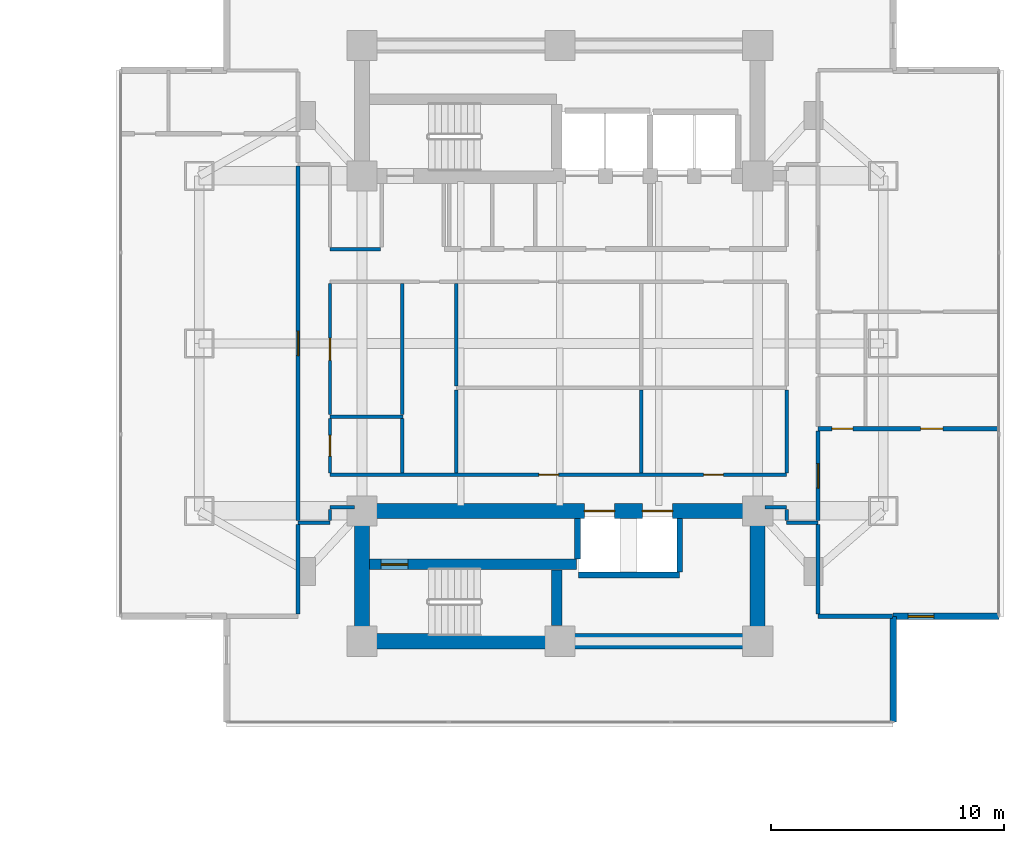
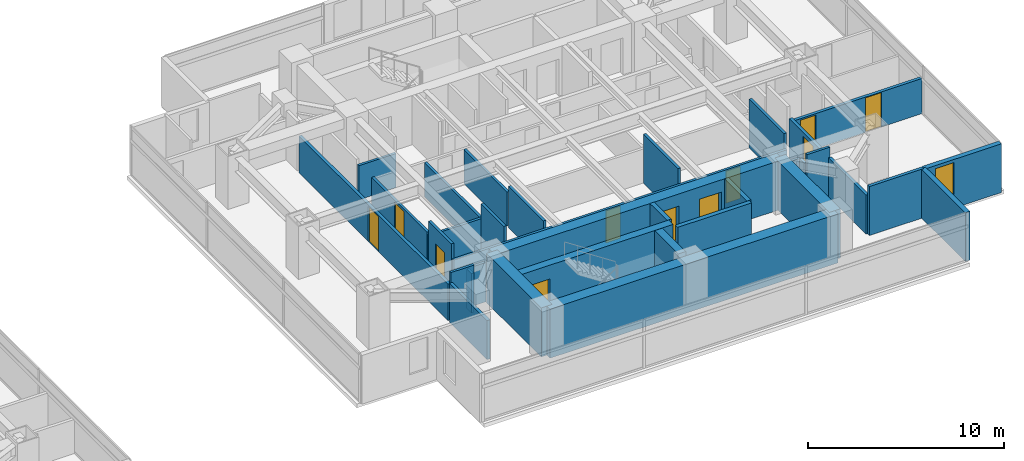
# One storey, part 17 of 24: 34 walls, 11 doors, 1 window, 12 openings.
"""IFC4 building model written with IfcOpenShell, lengths in metres."""

from ifc_helpers import new_model, si_unit, direction, frame, frame_2d, origin, place, context, subcontext, project, spatial, rectangle, extrude, material, layer, layer_set, type_object, element, fill, save


model = new_model("IFC4")

# Units and contexts
model_context = context("Model", 3, precision=1e-05, world=origin(), true_north=direction((0.0, 1.0)))
body_context = subcontext(model_context, "Body", "Model", "MODEL_VIEW")
ifc_project = project(units=[si_unit("LENGTHUNIT", "METRE"), si_unit("AREAUNIT", "SQUARE_METRE"), si_unit("VOLUMEUNIT", "CUBIC_METRE"), si_unit("PLANEANGLEUNIT", "RADIAN"), si_unit("MASSUNIT", "GRAM", prefix="KILO")], contexts=[model_context])

# Site, building, storey
site_placement = place(None, origin())
site = spatial("IfcSite", under=ifc_project, at=site_placement, CompositionType="ELEMENT")
building_placement = place(site_placement, origin())
building = spatial("IfcBuilding", under=site, at=building_placement, Name="Mirazonda Arch Towers", CompositionType="ELEMENT")
storey_placement = place(building_placement, frame((0.0, 0.0, 71.89990234375)))
storey = spatial("IfcBuildingStorey", under=building, at=storey_placement, Name="L20", CompositionType="ELEMENT", Elevation=71.89990234375)

# Wall, opening, door
ifc_material_1 = material(Name="Concrete C50/60", Category="concrete")
ifc_layer_1 = layer(ifc_material_1, 0.449951171875, Name="WALL-CORE-450")
ifc_layer_set_1 = layer_set([ifc_layer_1], Name="Concrete C50/60")
wall_type_1 = type_object("IfcWallType", Name="WALL-CORE-450", PredefinedType="SHEAR", material=ifc_layer_set_1)
wall_1_placement = place(storey_placement, frame((68.320068359375, 18.5, 0.0), z_axis=(0.0, 0.0, 1.0), x_axis=(1.0, 0.0, 0.0)))
wall_1 = element("IfcWall", 1, at=wall_1_placement, inside=storey, type_object=wall_type_1, Name="L20 Stair Core Shear Wall 014", PredefinedType="SHEAR", context=body_context, shape_type="SweptSolid", body=[
    extrude(rectangle(XDim=8.89990234375, YDim=0.449951171875, at=frame_2d((4.449951171875, 0.0))), origin(), (0.0, 0.0, 1.0), 3.06005859375),
])
opening_1_placement = place(wall_1_placement, frame((0.4951171875, 0.0, 0.0)))
opening_1 = element("IfcOpeningElement", 2, at=opening_1_placement, cuts=wall_1, Name="Opening DR-135", PredefinedType="OPENING", context=body_context, shape_type="SweptSolid", body=[
    extrude(rectangle(XDim=1.14990234375, YDim=2.199951171875, at=frame_2d((0.574951171875, 1.10009765625))), frame((0.0, 0.23486328125, 0.0), z_axis=(0.0, -1.0, 0.0), x_axis=(1.0, 0.0, 0.0)), (0.0, 0.0, 1.0), 0.469970703125),
])
ifc_material_2 = material(Name="Architectural Brushed Steel S355", Category="steel")
door_type_1 = type_object("IfcDoorType", Name="DOOR-STAIR-FD90-1150", OperationType="NOTDEFINED", PredefinedType="DOOR", material=ifc_material_2)
door_1_placement = place(opening_1_placement, origin())
door_1 = element("IfcDoor", 3, at=door_1_placement, inside=storey, type_object=door_type_1, Name="L20 East Protected Stair South Door", OperationType="SINGLE_SWING_LEFT", OverallHeight=2.199951171875, OverallWidth=1.14990234375, PredefinedType="DOOR", context=body_context, shape_type="SweptSolid", body=[
    extrude(rectangle(XDim=1.14990234375, YDim=2.199951171875, at=frame_2d((0.574951171875, 1.10009765625))), frame((0.0, 0.02490234375, 0.0), z_axis=(0.0, -1.0, 0.0), x_axis=(1.0, 0.0, 0.0)), (0.0, 0.0, 1.0), 0.050048828125),
])
fill(opening_1, door_1)

# Walls
wall_2_placement = place(storey_placement, frame((76.360107421875, 15.864990234375, 0.0), z_axis=(0.0, 0.0, 1.0), x_axis=(0.0, 1.0, 0.0)))
element("IfcWall", 4, at=wall_2_placement, inside=storey, type_object=wall_type_1, Name="L20 Stair Core Shear Wall 138", PredefinedType="SHEAR", context=body_context, shape_type="SweptSolid", body=[
    extrude(rectangle(XDim=2.39990234375, YDim=0.449951171875, at=frame_2d((1.199951171875, 0.0))), origin(), (0.0, 0.0, 1.0), 3.06005859375),
])
ifc_material_3 = material(Name="Concrete C60/75", Category="concrete")
ifc_layer_2 = layer(ifc_material_3, 0.64990234375, Name="WALL-CORE-650")
ifc_layer_set_2 = layer_set([ifc_layer_2], Name="Concrete C60/75")
wall_type_2 = type_object("IfcWallType", Name="WALL-CORE-650", PredefinedType="SHEAR", material=ifc_layer_set_2)
wall_3_placement = place(storey_placement, frame((68.0, 15.199951171875, 0.0), z_axis=(0.0, 0.0, 1.0), x_axis=(1.0, 0.0, 0.0)))
element("IfcWall", 5, at=wall_3_placement, inside=storey, type_object=wall_type_2, Name="L20 T2S-S Core Shear Wall", PredefinedType="SHEAR", context=body_context, shape_type="SweptSolid", body=[
    extrude(rectangle(XDim=17.0, YDim=0.64990234375, at=frame_2d((8.5, 0.0))), origin(), (0.0, 0.0, 1.0), 3.06005859375),
])
for number, where, z_axis, x_axis, name in (
    (6, (68.0, 15.199951171875, 0.0), (0.0, 0.0, 1.0), (0.0, 1.0, 0.0), "L20 T2S-W Core Shear Wall"),
    (7, (85.0, 15.199951171875, 0.0), (0.0, 0.0, 1.0), (0.0, 1.0, 0.0), "L20 T2S-E Core Shear Wall"),
):
    element("IfcWall", number, at=place(storey_placement, frame(where, z_axis=z_axis, x_axis=x_axis)), inside=storey, type_object=wall_type_2, Name=name, PredefinedType="SHEAR", context=body_context, shape_type="SweptSolid", body=[
        extrude(rectangle(XDim=5.60009765625, YDim=0.64990234375, at=frame_2d((2.800048828125, 0.0))), origin(), (0.0, 0.0, 1.0), 3.06005859375),
    ])

# Wall, openings, doors
wall_4_placement = place(storey_placement, frame((68.0, 20.800048828125, 0.0), z_axis=(0.0, 0.0, 1.0), x_axis=(1.0, 0.0, 0.0)))
wall_4 = element("IfcWall", 8, at=wall_4_placement, inside=storey, type_object=wall_type_2, Name="L20 T2S-N Core Shear Wall", PredefinedType="SHEAR", context=body_context, shape_type="SweptSolid", body=[
    extrude(rectangle(XDim=17.0, YDim=0.64990234375, at=frame_2d((8.5, 0.0))), origin(), (0.0, 0.0, 1.0), 3.06005859375),
])
opening_2_placement = place(wall_4_placement, frame((9.550048828125, 0.0, 0.0)))
opening_2 = element("IfcOpeningElement", 9, at=opening_2_placement, cuts=wall_4, Name="Opening LD-111", PredefinedType="OPENING", context=body_context, shape_type="SweptSolid", body=[
    extrude(rectangle(XDim=1.300048828125, YDim=2.300048828125, at=frame_2d((0.64990234375, 1.14990234375))), frame((0.0, 0.3349609375, 0.0), z_axis=(0.0, -1.0, 0.0), x_axis=(1.0, 0.0, 0.0)), (0.0, 0.0, 1.0), 0.669921875),
])
opening_3_placement = place(wall_4_placement, frame((12.050048828125, 0.0, 0.0)))
opening_3 = element("IfcOpeningElement", 10, at=opening_3_placement, cuts=wall_4, Name="Opening LD-111", PredefinedType="OPENING", context=body_context, shape_type="SweptSolid", body=[
    extrude(rectangle(XDim=1.300048828125, YDim=2.300048828125, at=frame_2d((0.64990234375, 1.14990234375))), frame((0.0, 0.3349609375, 0.0), z_axis=(0.0, -1.0, 0.0), x_axis=(1.0, 0.0, 0.0)), (0.0, 0.0, 1.0), 0.669921875),
])
door_type_2 = type_object("IfcDoorType", Name="DOOR-LIFT-LAND-1300", OperationType="NOTDEFINED", PredefinedType="DOOR", material=ifc_material_2)
door_2_placement = place(opening_2_placement, origin())
door_2 = element("IfcDoor", 11, at=door_2_placement, inside=storey, type_object=door_type_2, Name="L20 Lift Landing Sliding Door PL-T2H1", OperationType="DOUBLE_DOOR_SLIDING", OverallHeight=2.300048828125, OverallWidth=1.300048828125, PredefinedType="DOOR", context=body_context, shape_type="SweptSolid", body=[
    extrude(rectangle(XDim=1.300048828125, YDim=2.300048828125, at=frame_2d((0.64990234375, 1.14990234375))), frame((0.0, 0.02490234375, 0.0), z_axis=(0.0, -1.0, 0.0), x_axis=(1.0, 0.0, 0.0)), (0.0, 0.0, 1.0), 0.050048828125),
])
fill(opening_2, door_2)
door_3_placement = place(opening_3_placement, origin())
door_3 = element("IfcDoor", 12, at=door_3_placement, inside=storey, type_object=door_type_2, Name="L20 Lift Landing Sliding Door PL-T2H2", OperationType="DOUBLE_DOOR_SLIDING", OverallHeight=2.300048828125, OverallWidth=1.300048828125, PredefinedType="DOOR", context=body_context, shape_type="SweptSolid", body=[
    extrude(rectangle(XDim=1.300048828125, YDim=2.300048828125, at=frame_2d((0.64990234375, 1.14990234375))), frame((0.0, 0.02490234375, 0.0), z_axis=(0.0, -1.0, 0.0), x_axis=(1.0, 0.0, 0.0)), (0.0, 0.0, 1.0), 0.050048828125),
])
fill(opening_3, door_3)

# Wall, opening, window
ifc_material_4 = material(Name="Precast Concrete C40/50", Category="concrete")
ifc_layer_3 = layer(ifc_material_4, 0.280029296875, Name="WALL-EXT-WALL-280")
ifc_layer_set_3 = layer_set([ifc_layer_3], Name="Precast Concrete C40/50")
wall_type_3 = type_object("IfcWallType", Name="WALL-EXT-WALL-280", PredefinedType="SOLIDWALL", material=ifc_layer_set_3)
wall_5_placement = place(storey_placement, frame((90.822021484375, 16.270263671875, 0.0), z_axis=(0.0, 0.0, 1.0), x_axis=(1.0, 0.0, 0.0)))
wall_5 = element("IfcWall", 13, at=wall_5_placement, inside=storey, type_object=wall_type_3, Name="L20 T2 Corner Notch Return Wall WL-L20-T2-CSE1", PredefinedType="SOLIDWALL", context=body_context, shape_type="SweptSolid", body=[
    extrude(rectangle(XDim=4.5458984375, YDim=0.280029296875, at=frame_2d((2.27294921875, 0.0))), origin(), (0.0, 0.0, 1.0), 3.0400390625),
])
opening_4_placement = place(wall_5_placement, frame((0.64990234375, 0.0, 0.85009765625)))
opening_4 = element("IfcOpeningElement", 14, at=opening_4_placement, cuts=wall_5, Name="Opening WN-108", PredefinedType="OPENING", context=body_context, shape_type="SweptSolid", body=[
    extrude(rectangle(XDim=1.10009765625, YDim=2.0, at=frame_2d((0.550048828125, 1.0))), frame((0.0, 0.14990234375, 0.0), z_axis=(0.0, -1.0, 0.0), x_axis=(1.0, 0.0, 0.0)), (0.0, 0.0, 1.0), 0.300048828125),
])
ifc_material_5 = material(Name="Insulated Low-E Solar Glass", Category="glass")
window_type = type_object("IfcWindowType", Name="WIN-NOTCH-1100x2000", PartitioningType="SINGLE_PANEL", PredefinedType="WINDOW", material=ifc_material_5)
window_placement = place(opening_4_placement, origin())
window = element("IfcWindow", 15, at=window_placement, inside=storey, type_object=window_type, Name="L20 Punched Facade Window WN-L20-T2-CSE1", OverallHeight=2.0, OverallWidth=1.10009765625, PartitioningType="SINGLE_PANEL", PredefinedType="WINDOW", context=body_context, shape_type="SweptSolid", body=[
    extrude(rectangle(XDim=1.10009765625, YDim=2.0, at=frame_2d((0.550048828125, 1.0))), frame((0.0, 0.030029296875, 0.0), z_axis=(0.0, -1.0, 0.0), x_axis=(1.0, 0.0, 0.0)), (0.0, 0.0, 1.0), 0.06005859375),
])
fill(opening_4, window)

# Walls
wall_6_placement = place(storey_placement, frame((90.822021484375, 11.72412109375, 0.0), z_axis=(0.0, 0.0, 1.0), x_axis=(0.0, 1.0, 0.0)))
element("IfcWall", 16, at=wall_6_placement, inside=storey, type_object=wall_type_3, Name="L20 T2 Corner Notch Return Wall WL-L20-T2-CSE2", PredefinedType="SOLIDWALL", context=body_context, shape_type="SweptSolid", body=[
    extrude(rectangle(XDim=4.546142578125, YDim=0.280029296875, at=frame_2d((2.27294921875, 0.0))), origin(), (0.0, 0.0, 1.0), 3.0400390625),
])
ifc_material_6 = material(Name="Fire-Rated Gypsum Stud Partition")
ifc_layer_4 = layer(ifc_material_6, 0.14990234375, Name="WALL-PART-CORR-150")
ifc_layer_set_4 = layer_set([ifc_layer_4], Name="Fire-Rated Gypsum Stud Partition")
wall_type_4 = type_object("IfcWallType", Name="WALL-PART-CORR-150", PredefinedType="PARTITIONING", material=ifc_layer_set_4)
wall_7_placement = place(storey_placement, frame((65.25, 20.300048828125, 0.0), z_axis=(0.0, 0.0, 1.0), x_axis=(1.0, 0.0, 0.0)))
element("IfcWall", 17, at=wall_7_placement, inside=storey, type_object=wall_type_4, Name="L20 Interior Partition 017", PredefinedType="PARTITIONING", context=body_context, shape_type="SweptSolid", body=[
    extrude(rectangle(XDim=1.3701171875, YDim=0.14990234375, at=frame_2d((0.68505859375, 0.0))), origin(), (0.0, 0.0, 1.0), 3.06005859375),
])
wall_8_placement = place(storey_placement, frame((86.25, 20.300048828125, 0.0), z_axis=(0.0, 0.0, 1.0), x_axis=(1.0, 0.0, 0.0)))
element("IfcWall", 18, at=wall_8_placement, inside=storey, type_object=wall_type_4, Name="L20 Interior Partition 018", PredefinedType="PARTITIONING", context=body_context, shape_type="SweptSolid", body=[
    extrude(rectangle(XDim=1.35009765625, YDim=0.14990234375, at=frame_2d((0.675048828125, 0.0))), origin(), (0.0, 0.0, 1.0), 3.06005859375),
])
wall_9_placement = place(storey_placement, frame((66.6201171875, 20.949951171875, 0.0), z_axis=(0.0, 0.0, 1.0), x_axis=(1.0, 0.0, 0.0)))
element("IfcWall", 19, at=wall_9_placement, inside=storey, type_object=wall_type_4, Name="L20 Interior Partition 019", PredefinedType="PARTITIONING", context=body_context, shape_type="SweptSolid", body=[
    extrude(rectangle(XDim=1.059814453125, YDim=0.14990234375, at=frame_2d((0.52978515625, 0.0))), origin(), (0.0, 0.0, 1.0), 2.4521484375),
])
wall_10_placement = place(storey_placement, frame((85.320068359375, 20.949951171875, 0.0), z_axis=(0.0, 0.0, 1.0), x_axis=(1.0, 0.0, 0.0)))
element("IfcWall", 20, at=wall_10_placement, inside=storey, type_object=wall_type_4, Name="L20 Interior Partition 020", PredefinedType="PARTITIONING", context=body_context, shape_type="SweptSolid", body=[
    extrude(rectangle(XDim=0.929931640625, YDim=0.14990234375, at=frame_2d((0.46484375, 0.0))), origin(), (0.0, 0.0, 1.0), 2.4521484375),
])

# Wall, openings, doors
wall_11_placement = place(storey_placement, frame((66.6201171875, 22.35009765625, 0.0), z_axis=(0.0, 0.0, 1.0), x_axis=(1.0, 0.0, 0.0)))
wall_11 = element("IfcWall", 21, at=wall_11_placement, inside=storey, type_object=wall_type_4, Name="L20 Interior Partition 023", PredefinedType="PARTITIONING", context=body_context, shape_type="SweptSolid", body=[
    extrude(rectangle(XDim=19.6298828125, YDim=0.14990234375, at=frame_2d((9.81494140625, 0.0))), origin(), (0.0, 0.0, 1.0), 2.125),
])
opening_5_placement = place(wall_11_placement, frame((8.98095703125, 0.0, 0.0)))
opening_5 = element("IfcOpeningElement", 22, at=opening_5_placement, cuts=wall_11, Name="Opening DR-128", PredefinedType="OPENING", context=body_context, shape_type="SweptSolid", body=[
    extrude(rectangle(XDim=0.85009765625, YDim=2.010009765625, at=frame_2d((0.425048828125, 1.0048828125))), frame((0.0, 0.0849609375, 0.0), z_axis=(0.0, -1.0, 0.0), x_axis=(1.0, 0.0, 0.0)), (0.0, 0.0, 1.0), 0.169921875),
])
opening_6_placement = place(wall_11_placement, frame((16.06103515625, 0.0, 0.0)))
opening_6 = element("IfcOpeningElement", 23, at=opening_6_placement, cuts=wall_11, Name="Opening DR-128", PredefinedType="OPENING", context=body_context, shape_type="SweptSolid", body=[
    extrude(rectangle(XDim=0.85009765625, YDim=2.010009765625, at=frame_2d((0.425048828125, 1.0048828125))), frame((0.0, 0.0849609375, 0.0), z_axis=(0.0, -1.0, 0.0), x_axis=(1.0, 0.0, 0.0)), (0.0, 0.0, 1.0), 0.169921875),
])
door_type_3 = type_object("IfcDoorType", Name="DOOR-RISER-FD60-850", OperationType="NOTDEFINED", PredefinedType="DOOR", material=ifc_material_2)
door_4_placement = place(opening_5_placement, origin())
door_4 = element("IfcDoor", 24, at=door_4_placement, inside=storey, type_object=door_type_3, Name="L20 Executive Club Lounge Door", OperationType="SINGLE_SWING_RIGHT", OverallHeight=2.010009765625, OverallWidth=0.85009765625, PredefinedType="DOOR", context=body_context, shape_type="SweptSolid", body=[
    extrude(rectangle(XDim=0.85009765625, YDim=2.010009765625, at=frame_2d((0.425048828125, 1.0048828125))), frame((0.0, 0.02490234375, 0.0), z_axis=(0.0, -1.0, 0.0), x_axis=(1.0, 0.0, 0.0)), (0.0, 0.0, 1.0), 0.050048828125),
])
fill(opening_5, door_4)
door_5_placement = place(opening_6_placement, origin())
door_5 = element("IfcDoor", 25, at=door_5_placement, inside=storey, type_object=door_type_3, Name="L20 Business Reading Study Door", OperationType="SINGLE_SWING_LEFT", OverallHeight=2.010009765625, OverallWidth=0.85009765625, PredefinedType="DOOR", context=body_context, shape_type="SweptSolid", body=[
    extrude(rectangle(XDim=0.85009765625, YDim=2.010009765625, at=frame_2d((0.425048828125, 1.0048828125))), frame((0.0, 0.02490234375, 0.0), z_axis=(0.0, -1.0, 0.0), x_axis=(1.0, 0.0, 0.0)), (0.0, 0.0, 1.0), 0.050048828125),
])
fill(opening_6, door_5)

# Walls
wall_12_placement = place(storey_placement, frame((66.6201171875, 24.85009765625, 0.0), z_axis=(0.0, 0.0, 1.0), x_axis=(1.0, 0.0, 0.0)))
element("IfcWall", 26, at=wall_12_placement, inside=storey, type_object=wall_type_4, Name="L20 Interior Partition 027", PredefinedType="PARTITIONING", context=body_context, shape_type="SweptSolid", body=[
    extrude(rectangle(XDim=3.1298828125, YDim=0.14990234375, at=frame_2d((1.56494140625, 0.0))), origin(), (0.0, 0.0, 1.0), 2.125),
])
wall_13_placement = place(storey_placement, frame((66.6201171875, 32.050048828125, 0.0), z_axis=(0.0, 0.0, 1.0), x_axis=(1.0, 0.0, 0.0)))
element("IfcWall", 27, at=wall_13_placement, inside=storey, type_object=wall_type_4, Name="L20 Interior Partition 035", PredefinedType="PARTITIONING", context=body_context, shape_type="SweptSolid", body=[
    extrude(rectangle(XDim=2.179931640625, YDim=0.14990234375, at=frame_2d((1.08984375, 0.0))), origin(), (0.0, 0.0, 1.0), 2.125),
])
wall_14_placement = place(storey_placement, frame((66.6201171875, 20.385009765625, 0.0), z_axis=(0.0, 0.0, 1.0), x_axis=(0.0, 1.0, 0.0)))
element("IfcWall", 28, at=wall_14_placement, inside=storey, type_object=wall_type_4, Name="L20 Interior Partition 125", PredefinedType="PARTITIONING", context=body_context, shape_type="SweptSolid", body=[
    extrude(rectangle(XDim=0.47998046875, YDim=0.14990234375, at=frame_2d((0.239990234375, 0.0))), origin(), (0.0, 0.0, 1.0), 2.4521484375),
])

# Wall, opening, door
wall_15_placement = place(storey_placement, frame((66.6201171875, 22.43505859375, 0.0), z_axis=(0.0, 0.0, 1.0), x_axis=(0.0, 1.0, 0.0)))
wall_15 = element("IfcWall", 29, at=wall_15_placement, inside=storey, type_object=wall_type_4, Name="L20 Interior Partition 126", PredefinedType="PARTITIONING", context=body_context, shape_type="SweptSolid", body=[
    extrude(rectangle(XDim=2.329833984375, YDim=0.14990234375, at=frame_2d((1.1650390625, 0.0))), origin(), (0.0, 0.0, 1.0), 3.06005859375),
])
opening_7_placement = place(wall_15_placement, frame((0.715087890625, 0.0, 0.0)))
opening_7 = element("IfcOpeningElement", 30, at=opening_7_placement, cuts=wall_15, Name="Opening DR-120", PredefinedType="OPENING", context=body_context, shape_type="SweptSolid", body=[
    extrude(rectangle(XDim=0.89990234375, YDim=2.10009765625, at=frame_2d((0.449951171875, 1.050048828125))), frame((0.0, 0.0849609375, 0.0), z_axis=(0.0, -1.0, 0.0), x_axis=(1.0, 0.0, 0.0)), (0.0, 0.0, 1.0), 0.169921875),
])
door_type_4 = type_object("IfcDoorType", Name="DOOR-WC-900", OperationType="NOTDEFINED", PredefinedType="DOOR", material=ifc_material_2)
door_6_placement = place(opening_7_placement, origin())
door_6 = element("IfcDoor", 31, at=door_6_placement, inside=storey, type_object=door_type_4, Name="L20 Tower 2 Common Accessible WC Door", OperationType="SINGLE_SWING_RIGHT", OverallHeight=2.10009765625, OverallWidth=0.89990234375, PredefinedType="DOOR", context=body_context, shape_type="SweptSolid", body=[
    extrude(rectangle(XDim=0.89990234375, YDim=2.10009765625, at=frame_2d((0.449951171875, 1.050048828125))), frame((0.0, 0.02490234375, 0.0), z_axis=(0.0, -1.0, 0.0), x_axis=(1.0, 0.0, 0.0)), (0.0, 0.0, 1.0), 0.050048828125),
])
fill(opening_7, door_6)

wall_16_placement = place(storey_placement, frame((66.6201171875, 24.93505859375, 0.0), z_axis=(0.0, 0.0, 1.0), x_axis=(0.0, 1.0, 0.0)))
wall_16 = element("IfcWall", 32, at=wall_16_placement, inside=storey, type_object=wall_type_4, Name="L20 Interior Partition 127", PredefinedType="PARTITIONING", context=body_context, shape_type="SweptSolid", body=[
    extrude(rectangle(XDim=5.6298828125, YDim=0.14990234375, at=frame_2d((2.81494140625, 0.0))), origin(), (0.0, 0.0, 1.0), 2.279052734375),
])
opening_8_placement = place(wall_16_placement, frame((2.340087890625, 0.0, 0.0)))
opening_8 = element("IfcOpeningElement", 33, at=opening_8_placement, cuts=wall_16, Name="Opening DR-104", PredefinedType="OPENING", context=body_context, shape_type="SweptSolid", body=[
    extrude(rectangle(XDim=0.949951171875, YDim=2.14990234375, at=frame_2d((0.47509765625, 1.074951171875))), frame((0.0, 0.0849609375, 0.0), z_axis=(0.0, -1.0, 0.0), x_axis=(1.0, 0.0, 0.0)), (0.0, 0.0, 1.0), 0.169921875),
])
door_type_5 = type_object("IfcDoorType", Name="DOOR-ROOM-950", OperationType="NOTDEFINED", PredefinedType="DOOR", material=ifc_material_2)
door_7_placement = place(opening_8_placement, origin())
door_7 = element("IfcDoor", 34, at=door_7_placement, inside=storey, type_object=door_type_5, Name="L20 L20 East Courtyard Reading Study Door", OperationType="SINGLE_SWING_RIGHT", OverallHeight=2.14990234375, OverallWidth=0.949951171875, PredefinedType="DOOR", context=body_context, shape_type="SweptSolid", body=[
    extrude(rectangle(XDim=0.949951171875, YDim=2.14990234375, at=frame_2d((0.47509765625, 1.074951171875))), frame((0.0, 0.02490234375, 0.0), z_axis=(0.0, -1.0, 0.0), x_axis=(1.0, 0.0, 0.0)), (0.0, 0.0, 1.0), 0.050048828125),
])
fill(opening_8, door_7)

# Walls
wall_17_placement = place(storey_placement, frame((69.723388671875, 22.43505859375, 0.0), z_axis=(0.0, 0.0, 1.0), x_axis=(0.0, 1.0, 0.0)))
element("IfcWall", 35, at=wall_17_placement, inside=storey, type_object=wall_type_4, Name="L20 Interior Partition 130", PredefinedType="PARTITIONING", context=body_context, shape_type="SweptSolid", body=[
    extrude(rectangle(XDim=2.329833984375, YDim=0.14990234375, at=frame_2d((1.1650390625, 0.0))), origin(), (0.0, 0.0, 1.0), 3.06005859375),
])
wall_18_placement = place(storey_placement, frame((69.723388671875, 24.93505859375, 0.0), z_axis=(0.0, 0.0, 1.0), x_axis=(0.0, 1.0, 0.0)))
element("IfcWall", 36, at=wall_18_placement, inside=storey, type_object=wall_type_4, Name="L20 Interior Partition 131", PredefinedType="PARTITIONING", context=body_context, shape_type="SweptSolid", body=[
    extrude(rectangle(XDim=5.6298828125, YDim=0.14990234375, at=frame_2d((2.81494140625, 0.0))), origin(), (0.0, 0.0, 1.0), 2.125),
])
wall_19_placement = place(storey_placement, frame((72.050048828125, 22.43505859375, 0.0), z_axis=(0.0, 0.0, 1.0), x_axis=(0.0, 1.0, 0.0)))
element("IfcWall", 37, at=wall_19_placement, inside=storey, type_object=wall_type_4, Name="L20 Interior Partition 134", PredefinedType="PARTITIONING", context=body_context, shape_type="SweptSolid", body=[
    extrude(rectangle(XDim=3.56494140625, YDim=0.14990234375, at=frame_2d((1.782470703125, 0.0))), origin(), (0.0, 0.0, 1.0), 2.589111328125),
])
wall_20_placement = place(storey_placement, frame((72.050048828125, 26.169921875, 0.0), z_axis=(0.0, 0.0, 1.0), x_axis=(0.0, 1.0, 0.0)))
element("IfcWall", 38, at=wall_20_placement, inside=storey, type_object=wall_type_4, Name="L20 Interior Partition 135", PredefinedType="PARTITIONING", context=body_context, shape_type="SweptSolid", body=[
    extrude(rectangle(XDim=4.39501953125, YDim=0.14990234375, at=frame_2d((2.197509765625, 0.0))), origin(), (0.0, 0.0, 1.0), 2.125),
])
wall_21_placement = place(storey_placement, frame((80.001953125, 22.43505859375, 0.0), z_axis=(0.0, 0.0, 1.0), x_axis=(0.0, 1.0, 0.0)))
element("IfcWall", 39, at=wall_21_placement, inside=storey, type_object=wall_type_4, Name="L20 Interior Partition 141", PredefinedType="PARTITIONING", context=body_context, shape_type="SweptSolid", body=[
    extrude(rectangle(XDim=3.56494140625, YDim=0.14990234375, at=frame_2d((1.782470703125, 0.0))), origin(), (0.0, 0.0, 1.0), 3.06005859375),
])
wall_22_placement = place(storey_placement, frame((86.25, 20.385009765625, 0.0), z_axis=(0.0, 0.0, 1.0), x_axis=(0.0, 1.0, 0.0)))
element("IfcWall", 40, at=wall_22_placement, inside=storey, type_object=wall_type_4, Name="L20 Interior Partition 147", PredefinedType="PARTITIONING", context=body_context, shape_type="SweptSolid", body=[
    extrude(rectangle(XDim=0.47998046875, YDim=0.14990234375, at=frame_2d((0.239990234375, 0.0))), origin(), (0.0, 0.0, 1.0), 2.4521484375),
])
wall_23_placement = place(storey_placement, frame((86.25, 22.43505859375, 0.0), z_axis=(0.0, 0.0, 1.0), x_axis=(0.0, 1.0, 0.0)))
element("IfcWall", 41, at=wall_23_placement, inside=storey, type_object=wall_type_4, Name="L20 Interior Partition 148", PredefinedType="PARTITIONING", context=body_context, shape_type="SweptSolid", body=[
    extrude(rectangle(XDim=3.56494140625, YDim=0.14990234375, at=frame_2d((1.782470703125, 0.0))), origin(), (0.0, 0.0, 1.0), 3.06005859375),
])
ifc_material_7 = material(Name="Fire-Rated Gypsum Twin-Stud Assembly")
ifc_layer_5 = layer(ifc_material_7, 0.179931640625, Name="WALL-PART-DEMISE-180")
ifc_layer_set_5 = layer_set([ifc_layer_5], Name="Fire-Rated Gypsum Twin-Stud Assembly")
wall_type_5 = type_object("IfcWallType", Name="WALL-PART-DEMISE-180", PredefinedType="PARTITIONING", material=ifc_layer_set_5)
wall_24_placement = place(storey_placement, frame((87.60009765625, 16.27001953125, 0.0), z_axis=(0.0, 0.0, 1.0), x_axis=(1.0, 0.0, 0.0)))
element("IfcWall", 42, at=wall_24_placement, inside=storey, type_object=wall_type_5, Name="L20 Interior Partition 010", PredefinedType="PARTITIONING", context=body_context, shape_type="SweptSolid", body=[
    extrude(rectangle(XDim=3.201904296875, YDim=0.179931640625, at=frame_2d((1.60107421875, 0.0))), origin(), (0.0, 0.0, 1.0), 3.06005859375),
])

# Wall, openings, doors
wall_25_placement = place(storey_placement, frame((87.60009765625, 24.33203125, 0.0), z_axis=(0.0, 0.0, 1.0), x_axis=(1.0, 0.0, 0.0)))
wall_25 = element("IfcWall", 43, at=wall_25_placement, inside=storey, type_object=wall_type_5, Name="L20 Interior Partition 025", PredefinedType="PARTITIONING", context=body_context, shape_type="SweptSolid", body=[
    extrude(rectangle(XDim=7.767822265625, YDim=0.179931640625, at=frame_2d((3.8837890625, 0.0))), origin(), (0.0, 0.0, 1.0), 2.196044921875),
])
opening_9_placement = place(wall_25_placement, frame((4.408935546875, 0.0, 0.0)))
opening_9 = element("IfcOpeningElement", 44, at=opening_9_placement, cuts=wall_25, Name="Opening DR-104", PredefinedType="OPENING", context=body_context, shape_type="SweptSolid", body=[
    extrude(rectangle(XDim=0.949951171875, YDim=2.14990234375, at=frame_2d((0.47509765625, 1.074951171875))), frame((0.0, 0.099853515625, 0.0), z_axis=(0.0, -1.0, 0.0), x_axis=(1.0, 0.0, 0.0)), (0.0, 0.0, 1.0), 0.199951171875),
])
opening_10_placement = place(wall_25_placement, frame((0.590087890625, 0.0, 0.0)))
opening_10 = element("IfcOpeningElement", 45, at=opening_10_placement, cuts=wall_25, Name="Opening DR-120", PredefinedType="OPENING", context=body_context, shape_type="SweptSolid", body=[
    extrude(rectangle(XDim=0.89990234375, YDim=2.10009765625, at=frame_2d((0.449951171875, 1.050048828125))), frame((0.0, 0.099853515625, 0.0), z_axis=(0.0, -1.0, 0.0), x_axis=(1.0, 0.0, 0.0)), (0.0, 0.0, 1.0), 0.199951171875),
])
door_8_placement = place(opening_9_placement, origin())
door_8 = element("IfcDoor", 46, at=door_8_placement, inside=storey, type_object=door_type_5, Name="L20 Suite Bedroom 1 Door", OperationType="SINGLE_SWING_LEFT", OverallHeight=2.14990234375, OverallWidth=0.949951171875, PredefinedType="DOOR", context=body_context, shape_type="SweptSolid", body=[
    extrude(rectangle(XDim=0.949951171875, YDim=2.14990234375, at=frame_2d((0.47509765625, 1.074951171875))), frame((0.0, 0.02490234375, 0.0), z_axis=(0.0, -1.0, 0.0), x_axis=(1.0, 0.0, 0.0)), (0.0, 0.0, 1.0), 0.050048828125),
])
fill(opening_9, door_8)
door_9_placement = place(opening_10_placement, origin())
door_9 = element("IfcDoor", 47, at=door_9_placement, inside=storey, type_object=door_type_4, Name="L20 Suite En-Suite Bathroom 1 Door", OperationType="SINGLE_SWING_RIGHT", OverallHeight=2.10009765625, OverallWidth=0.89990234375, PredefinedType="DOOR", context=body_context, shape_type="SweptSolid", body=[
    extrude(rectangle(XDim=0.89990234375, YDim=2.10009765625, at=frame_2d((0.449951171875, 1.050048828125))), frame((0.0, 0.02490234375, 0.0), z_axis=(0.0, -1.0, 0.0), x_axis=(1.0, 0.0, 0.0)), (0.0, 0.0, 1.0), 0.050048828125),
])
fill(opening_10, door_9)

# Wall
wall_26_placement = place(storey_placement, frame((65.25, 16.3701171875, 0.0), z_axis=(0.0, 0.0, 1.0), x_axis=(0.0, 1.0, 0.0)))
element("IfcWall", 48, at=wall_26_placement, inside=storey, type_object=wall_type_5, Name="L20 Interior Partition 121", PredefinedType="PARTITIONING", context=body_context, shape_type="SweptSolid", body=[
    extrude(rectangle(XDim=3.844970703125, YDim=0.179931640625, at=frame_2d((1.92236328125, 0.0))), origin(), (0.0, 0.0, 1.0), 2.43603515625),
])

# Wall, opening, door
wall_27_placement = place(storey_placement, frame((65.25, 20.385009765625, 0.0), z_axis=(0.0, 0.0, 1.0), x_axis=(0.0, 1.0, 0.0)))
wall_27 = element("IfcWall", 49, at=wall_27_placement, inside=storey, type_object=wall_type_5, Name="L20 Interior Partition 122", PredefinedType="PARTITIONING", context=body_context, shape_type="SweptSolid", body=[
    extrude(rectangle(XDim=15.22998046875, YDim=0.179931640625, at=frame_2d((7.614990234375, 0.0))), origin(), (0.0, 0.0, 1.0), 2.279052734375),
])
opening_11_placement = place(wall_27_placement, frame((7.090087890625, 0.0, 0.0)))
opening_11 = element("IfcOpeningElement", 50, at=opening_11_placement, cuts=wall_27, Name="Opening DR-121", PredefinedType="OPENING", context=body_context, shape_type="SweptSolid", body=[
    extrude(rectangle(XDim=1.050048828125, YDim=2.199951171875, at=frame_2d((0.52490234375, 1.10009765625))), frame((0.0, 0.099853515625, 0.0), z_axis=(0.0, -1.0, 0.0), x_axis=(1.0, 0.0, 0.0)), (0.0, 0.0, 1.0), 0.199951171875),
])
door_type_6 = type_object("IfcDoorType", Name="DOOR-SUITE-FD60-1050", OperationType="NOTDEFINED", PredefinedType="DOOR", material=ifc_material_2)
door_10_placement = place(opening_11_placement, origin())
door_10 = element("IfcDoor", 51, at=door_10_placement, inside=storey, type_object=door_type_6, Name="L20 Presidential Hotel Suite 1 Door", OperationType="SINGLE_SWING_LEFT", OverallHeight=2.199951171875, OverallWidth=1.050048828125, PredefinedType="DOOR", context=body_context, shape_type="SweptSolid", body=[
    extrude(rectangle(XDim=1.050048828125, YDim=2.199951171875, at=frame_2d((0.52490234375, 1.10009765625))), frame((0.0, 0.02490234375, 0.0), z_axis=(0.0, -1.0, 0.0), x_axis=(1.0, 0.0, 0.0)), (0.0, 0.0, 1.0), 0.050048828125),
])
fill(opening_11, door_10)

# Wall
wall_28_placement = place(storey_placement, frame((87.60009765625, 16.3701171875, 0.0), z_axis=(0.0, 0.0, 1.0), x_axis=(0.0, 1.0, 0.0)))
element("IfcWall", 52, at=wall_28_placement, inside=storey, type_object=wall_type_5, Name="L20 Interior Partition 152", PredefinedType="PARTITIONING", context=body_context, shape_type="SweptSolid", body=[
    extrude(rectangle(XDim=3.844970703125, YDim=0.179931640625, at=frame_2d((1.92236328125, 0.0))), origin(), (0.0, 0.0, 1.0), 2.43603515625),
])

# Wall, opening, door
wall_29_placement = place(storey_placement, frame((87.60009765625, 20.385009765625, 0.0), z_axis=(0.0, 0.0, 1.0), x_axis=(0.0, 1.0, 0.0)))
wall_29 = element("IfcWall", 53, at=wall_29_placement, inside=storey, type_object=wall_type_5, Name="L20 Interior Partition 153", PredefinedType="PARTITIONING", context=body_context, shape_type="SweptSolid", body=[
    extrude(rectangle(XDim=3.846923828125, YDim=0.179931640625, at=frame_2d((1.92333984375, 0.0))), origin(), (0.0, 0.0, 1.0), 2.4521484375),
])
opening_12_placement = place(wall_29_placement, frame((1.3984375, 0.0, 0.0)))
opening_12 = element("IfcOpeningElement", 54, at=opening_12_placement, cuts=wall_29, Name="Opening DR-121", PredefinedType="OPENING", context=body_context, shape_type="SweptSolid", body=[
    extrude(rectangle(XDim=1.050048828125, YDim=2.199951171875, at=frame_2d((0.52490234375, 1.10009765625))), frame((0.0, 0.099853515625, 0.0), z_axis=(0.0, -1.0, 0.0), x_axis=(1.0, 0.0, 0.0)), (0.0, 0.0, 1.0), 0.199951171875),
])
door_11_placement = place(opening_12_placement, origin())
door_11 = element("IfcDoor", 55, at=door_11_placement, inside=storey, type_object=door_type_6, Name="L20 Panoramic Suite Salon 1 Door", OperationType="SINGLE_SWING_RIGHT", OverallHeight=2.199951171875, OverallWidth=1.050048828125, PredefinedType="DOOR", context=body_context, shape_type="SweptSolid", body=[
    extrude(rectangle(XDim=1.050048828125, YDim=2.199951171875, at=frame_2d((0.52490234375, 1.10009765625))), frame((0.0, 0.02490234375, 0.0), z_axis=(0.0, -1.0, 0.0), x_axis=(1.0, 0.0, 0.0)), (0.0, 0.0, 1.0), 0.050048828125),
])
fill(opening_12, door_11)

# Walls
ifc_material_8 = material(Name="Concrete C40/50", Category="concrete")
ifc_layer_6 = layer(ifc_material_8, 0.25, Name="WALL-SHAFT-250")
ifc_layer_set_6 = layer_set([ifc_layer_6], Name="Concrete C40/50")
wall_type_6 = type_object("IfcWallType", Name="WALL-SHAFT-250", PredefinedType="SOLIDWALL", material=ifc_layer_set_6)
wall_30_placement = place(storey_placement, frame((77.300048828125, 18.050048828125, 0.0), z_axis=(0.0, 0.0, 1.0), x_axis=(1.0, 0.0, 0.0)))
element("IfcWall", 56, at=wall_30_placement, inside=storey, type_object=wall_type_6, Name="L20 Interior Partition 011", PredefinedType="SOLIDWALL", context=body_context, shape_type="SweptSolid", body=[
    extrude(rectangle(XDim=4.349853515625, YDim=0.25, at=frame_2d((2.1748046875, 0.0))), origin(), (0.0, 0.0, 1.0), 3.06005859375),
])
wall_31_placement = place(storey_placement, frame((77.260009765625, 18.735107421875, 0.0), z_axis=(0.0, 0.0, 1.0), x_axis=(0.0, 1.0, 0.0)))
element("IfcWall", 57, at=wall_31_placement, inside=storey, type_object=wall_type_6, Name="L20 Interior Partition 140", PredefinedType="SOLIDWALL", context=body_context, shape_type="SweptSolid", body=[
    extrude(rectangle(XDim=1.744873046875, YDim=0.25, at=frame_2d((0.87255859375, 0.0))), origin(), (0.0, 0.0, 1.0), 3.06005859375),
])
wall_32_placement = place(storey_placement, frame((81.64990234375, 18.18505859375, 0.0), z_axis=(0.0, 0.0, 1.0), x_axis=(0.0, 1.0, 0.0)))
element("IfcWall", 58, at=wall_32_placement, inside=storey, type_object=wall_type_6, Name="L20 Interior Partition 145", PredefinedType="SOLIDWALL", context=body_context, shape_type="SweptSolid", body=[
    extrude(rectangle(XDim=2.294921875, YDim=0.25, at=frame_2d((1.1474609375, 0.0))), origin(), (0.0, 0.0, 1.0), 3.06005859375),
])

save(model, "model.ifc")
